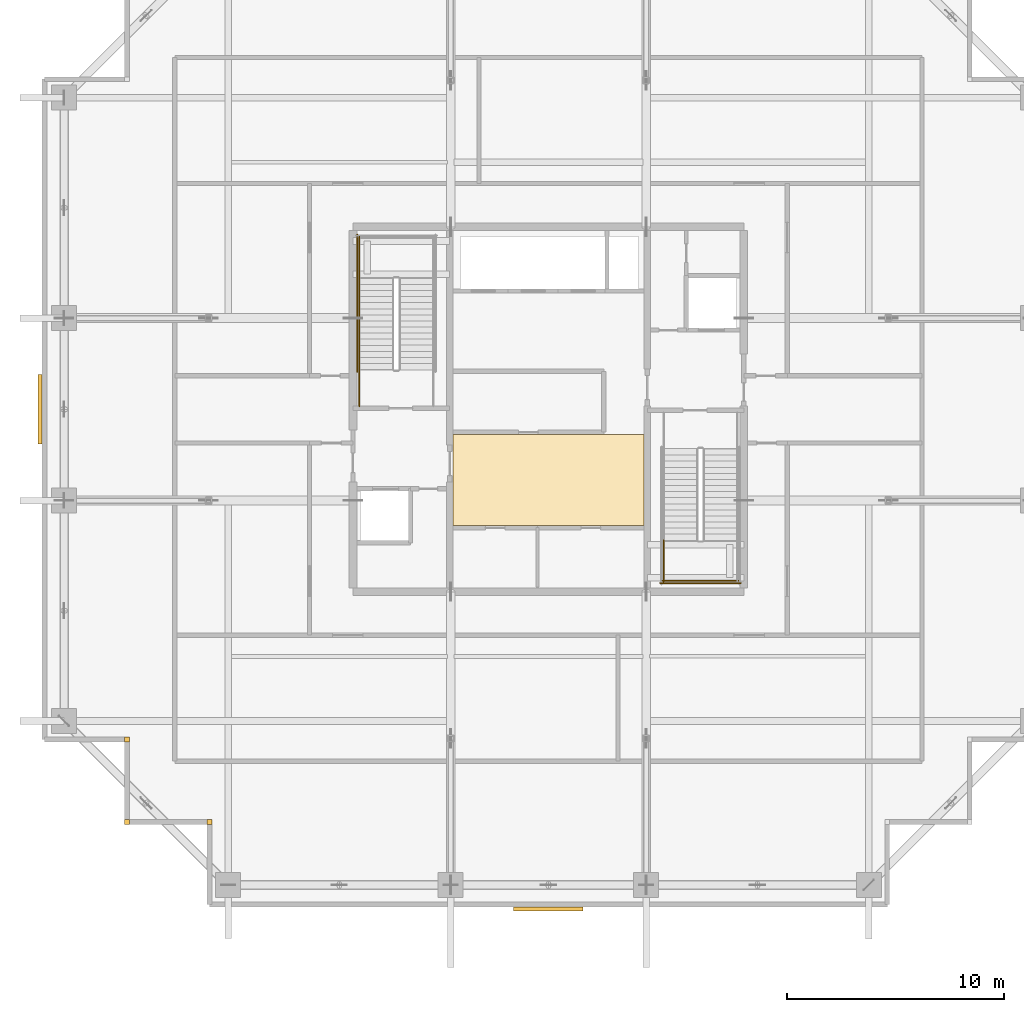
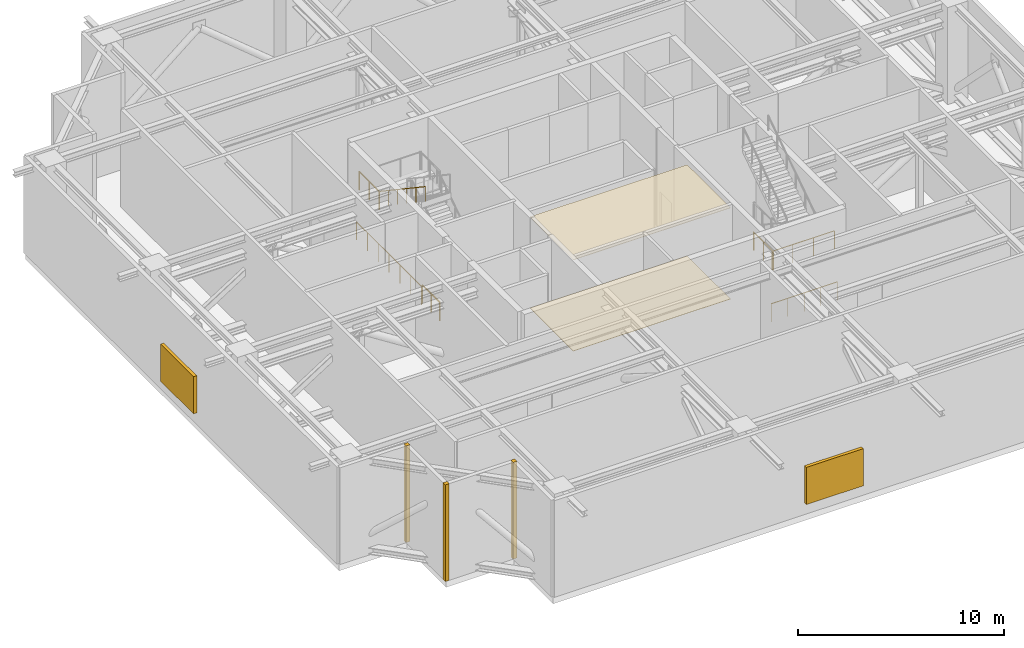
# One storey, part 20 of 22: 7 railings, 5 coverings, 2 shading devices.
"""IFC4 building model written with IfcOpenShell, lengths in metres."""

from ifc_helpers import new_model, si_unit, direction, frame, origin, origin_2d, place, context, subcontext, project, spatial, polyline, rectangle, circle, outline, extrude, source, transform, mapped, material, layer, layer_set, type_object, element, save


model = new_model("IFC4")

# Units and contexts
model_context = context("Model", 3, precision=1e-05, world=origin(), true_north=direction((0.0, 1.0)))
body_context = subcontext(model_context, "Body", "Model", "MODEL_VIEW")
ifc_project = project(units=[si_unit("LENGTHUNIT", "METRE"), si_unit("AREAUNIT", "SQUARE_METRE"), si_unit("VOLUMEUNIT", "CUBIC_METRE"), si_unit("PLANEANGLEUNIT", "RADIAN"), si_unit("MASSUNIT", "GRAM", prefix="KILO")], contexts=[model_context])

# Site, building, storey
site_placement = place(None, origin())
site = spatial("IfcSite", under=ifc_project, at=site_placement, CompositionType="ELEMENT")
building_placement = place(site_placement, origin())
building = spatial("IfcBuilding", under=site, at=building_placement, Name="Serunith Strait Residences", CompositionType="ELEMENT")
storey_placement = place(building_placement, frame((0.0, 0.0, 287.449951171875)))
storey = spatial("IfcBuildingStorey", under=building, at=storey_placement, Name="L72", CompositionType="ELEMENT", Elevation=287.449951171875)

# Coverings
ifc_material_1 = material(Name="Perforated acoustic gypsum ceiling tile")
ifc_layer_1 = layer(ifc_material_1, 0.02490234375, Name="Perforated acoustic gypsum ceiling tile")
ifc_layer_set_1 = layer_set([ifc_layer_1], Name="Perforated acoustic gypsum ceiling tile")
covering_type_1 = type_object("IfcCoveringType", Name="COV-CEIL-AC60", PredefinedType="CEILING", material=ifc_layer_set_1)
covering_1_placement = place(storey_placement, frame((0.0, 0.0, 5.39013671875)))
element("IfcCovering", 1, at=covering_1_placement, inside=storey, type_object=covering_type_1, Name="L72 Lift Lobby Acoustic Ceiling", PredefinedType="CEILING", context=body_context, shape_type="SweptSolid", body=[
    extrude(outline(polyline([(28.0, 19.85009765625), (36.800048828125, 19.85009765625), (36.800048828125, 24.050048828125), (28.0, 24.050048828125), (28.0, 19.85009765625)])), origin(), (0.0, 0.0, 1.0), 0.02490234375),
])
ifc_material_2 = material(Name="Honed limestone terrazzo flooring", Category="masonry")
ifc_layer_2 = layer(ifc_material_2, 0.02001953125, Name="Honed limestone terrazzo flooring")
ifc_layer_set_2 = layer_set([ifc_layer_2], Name="Honed limestone terrazzo flooring")
covering_type_2 = type_object("IfcCoveringType", Name="COV-FLOOR-TER40", PredefinedType="FLOORING", material=ifc_layer_set_2)
covering_2_placement = place(storey_placement, origin())
element("IfcCovering", 2, at=covering_2_placement, inside=storey, type_object=covering_type_2, Name="L72 Lift Lobby Terrazzo Flooring", PredefinedType="FLOORING", context=body_context, shape_type="SweptSolid", body=[
    extrude(outline(polyline([(28.0, 19.85009765625), (36.800048828125, 19.85009765625), (36.800048828125, 24.050048828125), (28.0, 24.050048828125), (28.0, 19.85009765625)])), origin(), (0.0, 0.0, 1.0), 0.02001953125),
])

# Railings
ifc_material_3 = material(Name="Brushed stainless steel 316L", Category="steel")
railing_type_1 = type_object("IfcRailingType", Name="RLG-STAIR-GUARD", PredefinedType="BALUSTRADE", material=ifc_material_3)
railing_1_placement = place(storey_placement, frame((23.699951171875, 31.22998046875, 3.0)))
element("IfcRailing", 3, at=railing_1_placement, inside=storey, type_object=railing_type_1, Name="L72 ST-1 stair guard 4", PredefinedType="BALUSTRADE", context=body_context, shape_type="SweptSolid", body=[
    extrude(circle(Radius=0.02392578125, at=origin_2d()), frame((0.0, 0.001953125, 1.076171875), z_axis=(0.0, 1.0, 0.0), x_axis=(-1.0, 0.0, 0.0)), (0.0, 0.0, 1.0), 1.916015625),
    extrude(circle(Radius=0.02099609375, at=origin_2d()), origin(), (0.0, 0.0, 1.0), 1.050048828125),
    extrude(circle(Radius=0.02099609375, at=origin_2d()), frame((0.0, 0.9599609375, 0.0)), (0.0, 0.0, 1.0), 1.050048828125),
    extrude(circle(Radius=0.02099609375, at=origin_2d()), frame((0.0, 1.919921875, 0.0)), (0.0, 0.0, 1.0), 1.050048828125),
])
railing_2_placement = place(storey_placement, frame((23.699951171875, 25.35009765625, 0.0)))
element("IfcRailing", 4, at=railing_2_placement, inside=storey, type_object=railing_type_1, Name="L72 ST-1 stair guard 9", PredefinedType="BALUSTRADE", context=body_context, shape_type="SweptSolid", body=[
    extrude(circle(Radius=0.02392578125, at=origin_2d()), frame((0.0, 0.001953125, 1.076171875), z_axis=(0.0, 1.0, 0.0), x_axis=(-1.0, 0.0, 0.0)), (0.0, 0.0, 1.0), 1.676025390625),
    extrude(circle(Radius=0.02099609375, at=origin_2d()), origin(), (0.0, 0.0, 1.0), 1.050048828125),
    extrude(circle(Radius=0.02099609375, at=origin_2d()), frame((0.0, 0.83984375, 0.0)), (0.0, 0.0, 1.0), 1.050048828125),
    extrude(circle(Radius=0.02099609375, at=origin_2d()), frame((0.0, 1.679931640625, 0.0)), (0.0, 0.0, 1.0), 1.050048828125),
])
railing_3_placement = place(storey_placement, frame((23.60009765625, 26.929931640625, 0.0)))
element("IfcRailing", 5, at=railing_3_placement, inside=storey, type_object=railing_type_1, Name="L72 ST-1 stair guard 11", PredefinedType="BALUSTRADE", context=body_context, shape_type="SweptSolid", body=[
    extrude(circle(Radius=0.02392578125, at=origin_2d()), frame((0.0, 0.001953125, 1.076171875), z_axis=(0.0, 1.0, 0.0), x_axis=(-1.0, 0.0, 0.0)), (0.0, 0.0, 1.0), 6.316162109375),
    extrude(circle(Radius=0.02099609375, at=origin_2d()), origin(), (0.0, 0.0, 1.0), 1.050048828125),
    extrude(circle(Radius=0.02099609375, at=origin_2d()), frame((0.0, 1.05322265625, 0.0)), (0.0, 0.0, 1.0), 1.050048828125),
    extrude(circle(Radius=0.02099609375, at=origin_2d()), frame((0.0, 2.106689453125, 0.0)), (0.0, 0.0, 1.0), 1.050048828125),
    extrude(circle(Radius=0.02099609375, at=origin_2d()), frame((0.0, 3.16015625, 0.0)), (0.0, 0.0, 1.0), 1.050048828125),
    extrude(circle(Radius=0.02099609375, at=origin_2d()), frame((0.0, 4.21337890625, 0.0)), (0.0, 0.0, 1.0), 1.050048828125),
    extrude(circle(Radius=0.02099609375, at=origin_2d()), frame((0.0, 5.2666015625, 0.0)), (0.0, 0.0, 1.0), 1.050048828125),
    extrude(circle(Radius=0.02099609375, at=origin_2d()), frame((0.0, 6.320068359375, 0.0)), (0.0, 0.0, 1.0), 1.050048828125),
])
railing_4_placement = place(storey_placement, frame((37.699951171875, 19.169921875, 3.0)))
element("IfcRailing", 6, at=railing_4_placement, inside=storey, type_object=railing_type_1, Name="L72 ST-2 stair guard 3", PredefinedType="BALUSTRADE", context=body_context, shape_type="SweptSolid", body=[
    extrude(circle(Radius=0.02392578125, at=origin_2d()), frame((0.0, -0.001953125, 1.076171875), z_axis=(0.0, -1.0, 0.0), x_axis=(1.0, 0.0, 0.0)), (0.0, 0.0, 1.0), 1.916015625),
    extrude(circle(Radius=0.02099609375, at=origin_2d()), origin(), (0.0, 0.0, 1.0), 1.050048828125),
    extrude(circle(Radius=0.02099609375, at=origin_2d()), frame((0.0, -0.9599609375, 0.0)), (0.0, 0.0, 1.0), 1.050048828125),
    extrude(circle(Radius=0.02099609375, at=origin_2d()), frame((0.0, -1.919921875, 0.0)), (0.0, 0.0, 1.0), 1.050048828125),
])
railing_5_placement = place(storey_placement, frame((37.64990234375, 17.300048828125, 3.0)))
element("IfcRailing", 7, at=railing_5_placement, inside=storey, type_object=railing_type_1, Name="L72 ST-2 stair guard 5", PredefinedType="BALUSTRADE", context=body_context, shape_type="SweptSolid", body=[
    extrude(circle(Radius=0.02392578125, at=origin_2d()), frame((0.001953125, 0.0, 1.076171875), z_axis=(1.0, 0.0, 0.0), x_axis=(0.0, 1.0, 0.0)), (0.0, 0.0, 1.0), 3.49609375),
    extrude(circle(Radius=0.02099609375, at=origin_2d()), origin(), (0.0, 0.0, 1.0), 1.050048828125),
    extrude(circle(Radius=0.02099609375, at=origin_2d()), frame((1.166748046875, 0.0, 0.0)), (0.0, 0.0, 1.0), 1.050048828125),
    extrude(circle(Radius=0.02099609375, at=origin_2d()), frame((2.333251953125, 0.0, 0.0)), (0.0, 0.0, 1.0), 1.050048828125),
    extrude(circle(Radius=0.02099609375, at=origin_2d()), frame((3.5, 0.0, 0.0)), (0.0, 0.0, 1.0), 1.050048828125),
])
railing_6_placement = place(storey_placement, frame((37.550048828125, 17.199951171875, 0.0)))
element("IfcRailing", 8, at=railing_6_placement, inside=storey, type_object=railing_type_1, Name="L72 ST-2 stair guard 12", PredefinedType="BALUSTRADE", context=body_context, shape_type="SweptSolid", body=[
    extrude(circle(Radius=0.02392578125, at=origin_2d()), frame((0.001953125, 0.0, 1.076171875), z_axis=(1.0, 0.0, 0.0), x_axis=(0.0, 1.0, 0.0)), (0.0, 0.0, 1.0), 3.696044921875),
    extrude(circle(Radius=0.02099609375, at=origin_2d()), origin(), (0.0, 0.0, 1.0), 1.050048828125),
    extrude(circle(Radius=0.02099609375, at=origin_2d()), frame((0.925048828125, 0.0, 0.0)), (0.0, 0.0, 1.0), 1.050048828125),
    extrude(circle(Radius=0.02099609375, at=origin_2d()), frame((1.85009765625, 0.0, 0.0)), (0.0, 0.0, 1.0), 1.050048828125),
    extrude(circle(Radius=0.02099609375, at=origin_2d()), frame((2.77490234375, 0.0, 0.0)), (0.0, 0.0, 1.0), 1.050048828125),
    extrude(circle(Radius=0.02099609375, at=origin_2d()), frame((3.699951171875, 0.0, 0.0)), (0.0, 0.0, 1.0), 1.050048828125),
])
railing_type_2 = type_object("IfcRailingType", Name="RLG-STAIR-HR", PredefinedType="HANDRAIL", material=ifc_material_3)
railing_7_placement = place(storey_placement, frame((23.699951171875, 31.22998046875, 3.1875)))
element("IfcRailing", 9, at=railing_7_placement, inside=storey, type_object=railing_type_2, Name="L72 ST-1 stair handrail 2", PredefinedType="HANDRAIL", context=body_context, shape_type="SweptSolid", body=[
    extrude(circle(Radius=0.02392578125, at=origin_2d()), frame((0.0, -0.001708984375, 0.876953125), z_axis=(0.0, -0.830466402242, 0.55706871636), x_axis=(1.0, 0.0, 0.0)), (0.0, 0.0, 1.0), 5.390625),
    extrude(circle(Radius=0.02099609375, at=origin_2d()), origin(), (0.0, 0.0, 1.0), 0.849853515625),
    extrude(circle(Radius=0.02099609375, at=origin_2d()), frame((0.0, -0.89599609375, 0.60107421875)), (0.0, 0.0, 1.0), 0.849853515625),
    extrude(circle(Radius=0.02099609375, at=origin_2d()), frame((0.0, -1.7919921875, 1.2021484375)), (0.0, 0.0, 1.0), 0.849853515625),
    extrude(circle(Radius=0.02099609375, at=origin_2d()), frame((0.0, -2.68798828125, 1.802978515625)), (0.0, 0.0, 1.0), 0.849853515625),
    extrude(circle(Radius=0.02099609375, at=origin_2d()), frame((0.0, -3.583984375, 2.404052734375)), (0.0, 0.0, 1.0), 0.849853515625),
    extrude(circle(Radius=0.02099609375, at=origin_2d()), frame((0.0, -4.47998046875, 3.005126953125)), (0.0, 0.0, 1.0), 0.849853515625),
])

# Shading devices
ifc_material_4 = material(Name="Anodised Aluminium Acoustic Storm Louvre", Category="aluminium")
shading_device_type = type_object("IfcShadingDeviceType", Name="SHD-WIND-LOUV", PredefinedType="JALOUSIE", material=ifc_material_4)
shared_shape_1 = source(origin(), body_context, "Body", "SweptSolid", [
    extrude(rectangle(XDim=3.199951171875, YDim=0.179931640625, at=origin_2d()), origin(), (0.0, 0.0, 1.0), 2.199951171875),
])
for number, where, z_axis, x_axis, name in (
    (10, (32.39990234375, 2.199951171875, 0.7001953125), (0.0, 0.0, 1.0), (1.0, 0.0, 0.0), "L72 S Plant Acoustic Storm Louvre"),
    (11, (9.0, 25.199951171875, 0.7001953125), (0.0, 0.0, 1.0), (0.0, 1.0, 0.0), "L72 W Plant Acoustic Storm Louvre"),
):
    element("IfcShadingDevice", number, at=place(storey_placement, frame(where, z_axis=z_axis, x_axis=x_axis)), inside=storey, type_object=shading_device_type, Name=name, PredefinedType="JALOUSIE", context=body_context, shape_type="MappedRepresentation", body=[
        mapped(shared_shape_1, transform((0.0, 0.0, 0.0), scale=1.0)),
    ])

# Coverings
ifc_material_5 = material(Name="Pale-Champagne Anodised Aluminium", Category="aluminium")
ifc_layer_3 = layer(ifc_material_5, 0.219970703125, Name="Pale-Champagne Anodised Aluminium")
ifc_layer_set_3 = layer_set([ifc_layer_3], Name="Pale-Champagne Anodised Aluminium")
covering_type_3 = type_object("IfcCoveringType", Name="COV-CORN-TRIM", PredefinedType="CLADDING", material=ifc_layer_set_3)
shared_shape_2 = source(origin(), body_context, "Body", "SweptSolid", [
    extrude(rectangle(XDim=0.221923828125, YDim=0.221923828125, at=origin_2d()), origin(), (0.0, 0.0, 1.0), 5.72509765625),
])
for number, where, z_axis, x_axis, name in (
    (12, (13.0, 10.0, 0.0), (0.0, 0.0, 1.0), (1.0, 0.0, 0.0), "L72 Girih Serrated Corner Trim Post 17"),
    (13, (13.0, 6.199951171875, 0.0), (0.0, 0.0, 1.0), (1.0, 0.0, 0.0), "L72 Girih Serrated Corner Trim Post 18"),
    (14, (16.800048828125, 6.199951171875, 0.0), (0.0, 0.0, 1.0), (1.0, 0.0, 0.0), "L72 Girih Serrated Corner Trim Post 19"),
):
    element("IfcCovering", number, at=place(storey_placement, frame(where, z_axis=z_axis, x_axis=x_axis)), inside=storey, type_object=covering_type_3, Name=name, PredefinedType="CLADDING", context=body_context, shape_type="MappedRepresentation", body=[
        mapped(shared_shape_2, transform((0.0, 0.0, 0.0), scale=1.0)),
    ])

save(model, "model.ifc")
